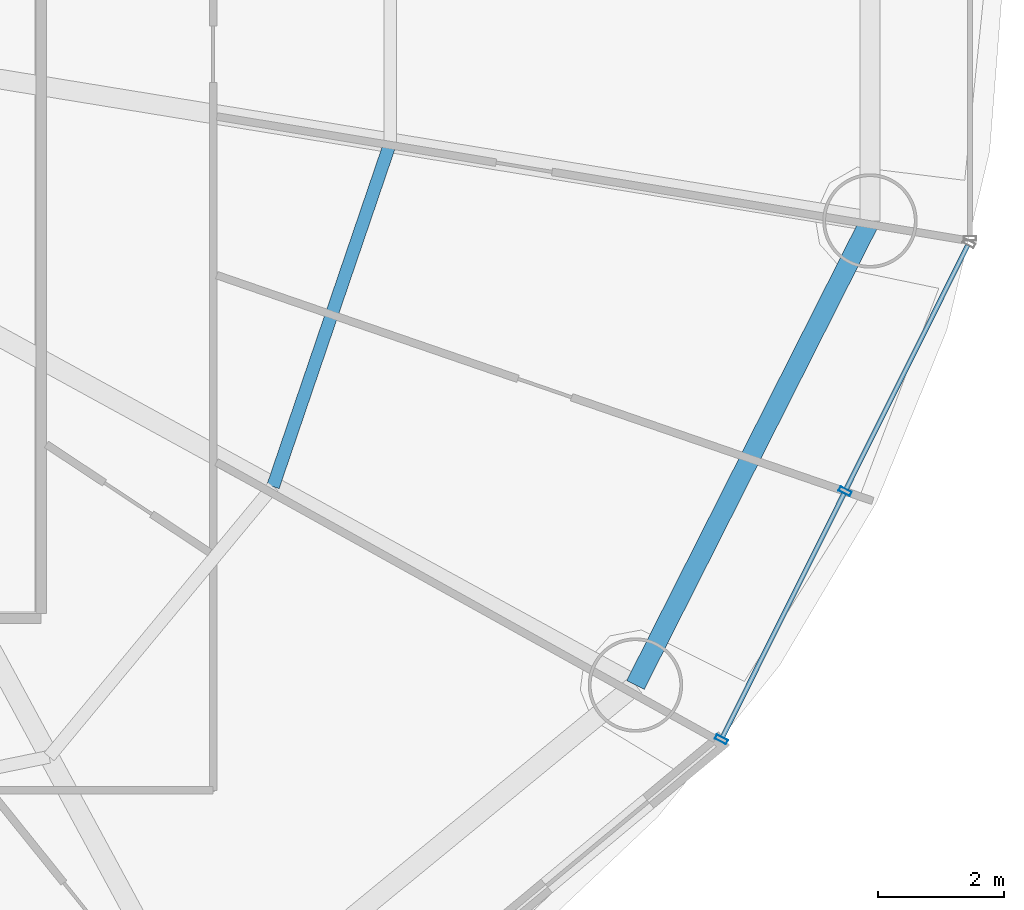
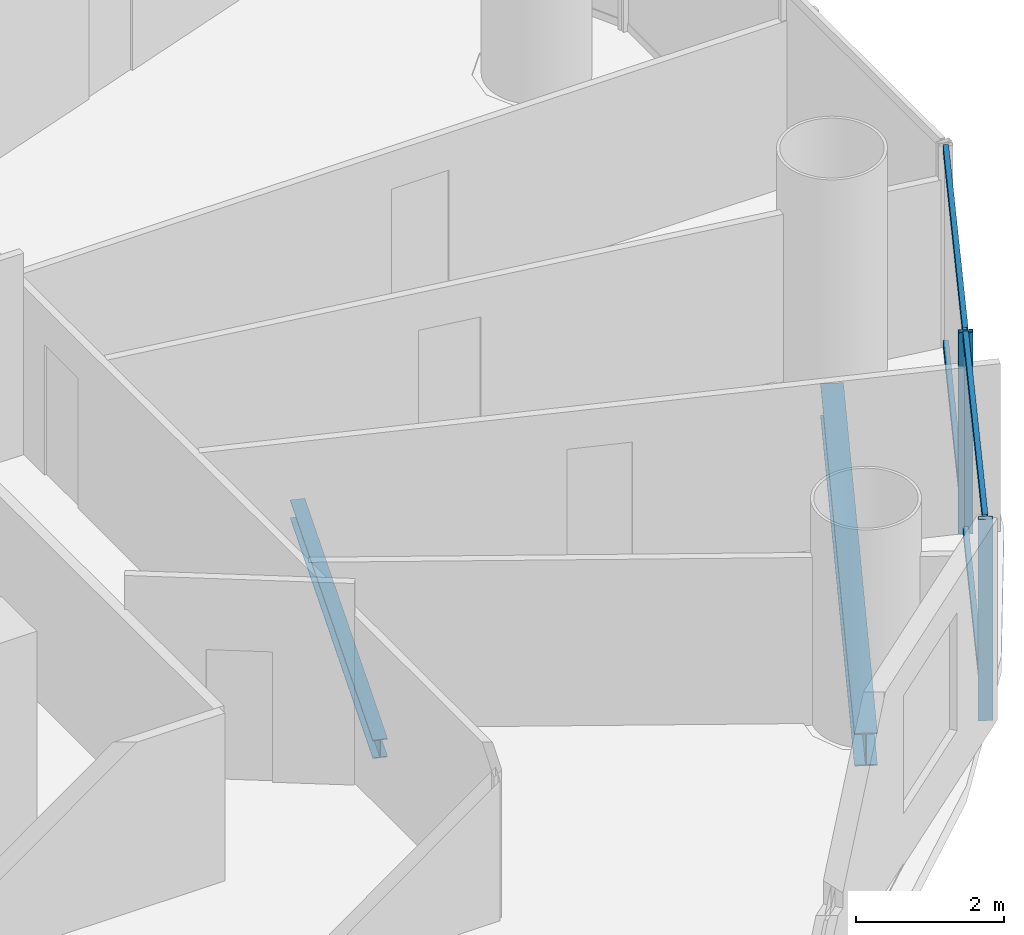
# One storey, part 13 of 29: 6 members, 2 beams, 1 element without a shape of its own.
"""IFC4 building model written with IfcOpenShell, lengths in metres."""

from ifc_helpers import new_model, si_unit, direction, frame, origin, origin_2d, place, context, subcontext, project, spatial, hollow_rectangle, i_section, extrude, source, transform, mapped, material, material_profile, profile_set, type_object, element, aggregate, save


model = new_model("IFC4")

# Units and contexts
model_context = context("Model", 3, precision=1e-05, world=origin(), true_north=direction((-0.2419218956, 0.970295726276)))
body_context = subcontext(model_context, "Body", "Model", "MODEL_VIEW")
ifc_project = project(units=[si_unit("LENGTHUNIT", "METRE"), si_unit("AREAUNIT", "SQUARE_METRE"), si_unit("VOLUMEUNIT", "CUBIC_METRE"), si_unit("PLANEANGLEUNIT", "RADIAN"), si_unit("MASSUNIT", "GRAM", prefix="KILO")], contexts=[model_context])

# Site, building, storey
site_placement = place(None, origin())
site = spatial("IfcSite", under=ifc_project, at=site_placement, CompositionType="ELEMENT")
building_placement = place(site_placement, origin())
building = spatial("IfcBuilding", under=site, at=building_placement, Name="Cobrevalo Terracotta Tower", CompositionType="ELEMENT")
storey_placement = place(building_placement, frame((0.0, 0.0, 119.39990234375)))
storey = spatial("IfcBuildingStorey", under=building, at=storey_placement, Name="L31", CompositionType="ELEMENT", Elevation=119.39990234375)

# Beams
ifc_material_1 = material(Name="Steel S355", Category="steel")
ifc_material_profile_1 = material_profile(ifc_material_1, i_section(OverallWidth=0.2041015625, OverallDepth=0.305908203125, WebThickness=0.008544921875, FlangeThickness=0.0146484375, at=origin_2d()), Name="W 310x67")
ifc_profile_set_1 = profile_set([ifc_material_profile_1], Name="Steel S355")
beam_type_1 = type_object("IfcBeamType", Name="Structural Joist W 310x67 (Steel S355)", PredefinedType="JOIST", material=ifc_profile_set_1)
beam_1_placement = place(storey_placement, frame((52.987548828125, 18.591796875, -0.427978515625), z_axis=(0.322846227919, 0.946451431991, 0.0), x_axis=(-0.946451431991, 0.322846227919, 0.0)))
element("IfcBeam", 1, at=beam_1_placement, inside=storey, type_object=beam_type_1, Name="L31 circumferential secondary floor joist 15", PredefinedType="JOIST", context=body_context, shape_type="SweptSolid", body=[
    extrude(i_section(OverallWidth=0.2041015625, OverallDepth=0.305908203125, WebThickness=0.008544921875, FlangeThickness=0.0146484375, at=origin_2d()), origin(), (0.0, 0.0, 1.0), 5.77001953125),
])
ifc_material_profile_2 = material_profile(ifc_material_1, i_section(OverallWidth=0.31201171875, OverallDepth=0.54296875, WebThickness=0.0126953125, FlangeThickness=0.020263671875, at=origin_2d()), Name="W 530x150")
ifc_profile_set_2 = profile_set([ifc_material_profile_2], Name="Steel S355")
beam_type_2 = type_object("IfcBeamType", Name="Structural Spandrel W 530x150 (Steel S355)", PredefinedType="SPANDREL", material=ifc_profile_set_2)
beam_2_placement = place(storey_placement, frame((58.7451171875, 15.4384765625, -0.54638671875), z_axis=(0.451051982172, 0.892497680321, 0.0), x_axis=(-0.892497680321, 0.451051982172, 0.0)))
element("IfcBeam", 2, at=beam_2_placement, inside=storey, type_object=beam_type_2, Name="L31 perimeter ring spandrel 15", PredefinedType="SPANDREL", context=body_context, shape_type="SweptSolid", body=[
    extrude(i_section(OverallWidth=0.31201171875, OverallDepth=0.54296875, WebThickness=0.0126953125, FlangeThickness=0.020263671875, at=origin_2d()), origin(), (0.0, 0.0, 1.0), 8.259765625),
])

# Curtain wall, members
ifc_material_2 = material(Name="Anodized aluminium", Category="aluminium")
curtain_wall_type = type_object("IfcCurtainWallType", Name="Lower-tower unitised acoustic low-E curtain wall CW-U1", PredefinedType="NOTDEFINED", material=ifc_material_2)
curtain_wall_placement = place(storey_placement, origin())
curtain_wall = element("IfcCurtainWall", 3, at=curtain_wall_placement, inside=storey, type_object=curtain_wall_type, Name="L31 curtain wall CW-L31-S15", PredefinedType="NOTDEFINED")
ifc_material_profile_3 = material_profile(ifc_material_2, hollow_rectangle(XDim=0.074951171875, YDim=0.14990234375, WallThickness=0.00439453125, at=origin_2d()), Name="CWT 75x150")
ifc_profile_set_3 = profile_set([ifc_material_profile_3], Name="Anodized aluminium")
member_type_1 = type_object("IfcMemberType", Name="Tower unitised aluminium transom 75x150", PredefinedType="USERDEFINED", material=ifc_profile_set_3)
shared_shape_1 = source(origin(), body_context, "Body", "SweptSolid", [
    extrude(hollow_rectangle(XDim=0.074951171875, YDim=0.14990234375, WallThickness=0.00439453125, at=origin_2d()), origin(), (0.0, 0.0, 1.0), 4.324951171875),
])
member_1_placement = place(storey_placement, frame((60.1279296875, 14.610107421875, 0.050048828125), z_axis=(0.446219838389, 0.894923379864, 0.0), x_axis=(-0.894923379864, 0.446219838389, 0.0)))
member_1 = element("IfcMember", 4, at=member_1_placement, type_object=member_type_1, Name="CW-L31-S15 transom B01-T1", ObjectType="TRANSOM", PredefinedType="USERDEFINED", context=body_context, shape_type="MappedRepresentation", body=[
    mapped(shared_shape_1, transform((0.0, 0.0, 0.0), scale=1.0)),
])
member_2_placement = place(storey_placement, frame((60.1279296875, 14.610107421875, 3.275146484375), z_axis=(0.446219838389, 0.894923379864, 0.0), x_axis=(-0.894923379864, 0.446219838389, 0.0)))
member_2 = element("IfcMember", 5, at=member_2_placement, type_object=member_type_1, Name="CW-L31-S15 transom B01-T2", ObjectType="TRANSOM", PredefinedType="USERDEFINED", context=body_context, shape_type="MappedRepresentation", body=[
    mapped(shared_shape_1, transform((0.0, 0.0, 0.0), scale=1.0)),
])
member_3_placement = place(storey_placement, frame((62.09375, 18.55224609375, 0.050048828125), z_axis=(0.446219838389, 0.894923379864, 0.0), x_axis=(-0.894923379864, 0.446219838389, 0.0)))
member_3 = element("IfcMember", 6, at=member_3_placement, type_object=member_type_1, Name="CW-L31-S15 transom B02-T1", ObjectType="TRANSOM", PredefinedType="USERDEFINED", context=body_context, shape_type="MappedRepresentation", body=[
    mapped(shared_shape_1, transform((0.0, 0.0, 0.0), scale=1.0)),
])
member_4_placement = place(storey_placement, frame((62.09375, 18.55224609375, 3.275146484375), z_axis=(0.446219838389, 0.894923379864, 0.0), x_axis=(-0.894923379864, 0.446219838389, 0.0)))
member_4 = element("IfcMember", 7, at=member_4_placement, type_object=member_type_1, Name="CW-L31-S15 transom B02-T2", ObjectType="TRANSOM", PredefinedType="USERDEFINED", context=body_context, shape_type="MappedRepresentation", body=[
    mapped(shared_shape_1, transform((0.0, 0.0, 0.0), scale=1.0)),
])
ifc_material_profile_4 = material_profile(ifc_material_2, hollow_rectangle(XDim=0.074951171875, YDim=0.199951171875, WallThickness=0.0048828125, at=origin_2d()), Name="CWM 75x200")
ifc_profile_set_4 = profile_set([ifc_material_profile_4], Name="Anodized aluminium")
member_type_2 = type_object("IfcMemberType", Name="Lower/mid tower unitised mullion 75x200", PredefinedType="MULLION", material=ifc_profile_set_4)
shared_shape_2 = source(origin(), body_context, "Body", "SweptSolid", [
    extrude(hollow_rectangle(XDim=0.074951171875, YDim=0.199951171875, WallThickness=0.0048828125, at=origin_2d()), origin(), (0.0, 0.0, 1.0), 3.3251953125),
])
member_5_placement = place(storey_placement, frame((60.110107421875, 14.574462890625, 0.0), z_axis=(0.0, 0.0, 1.0), x_axis=(0.446260290227, 0.894903208937, 0.0)))
member_5 = element("IfcMember", 8, at=member_5_placement, type_object=member_type_2, Name="CW-L31-S15 vertical mullion 01", PredefinedType="MULLION", context=body_context, shape_type="MappedRepresentation", body=[
    mapped(shared_shape_2, transform((0.0, 0.0, 0.0), scale=1.0)),
])
member_6_placement = place(storey_placement, frame((62.075927734375, 18.516357421875, 0.0), z_axis=(0.0, 0.0, 1.0), x_axis=(0.446260290227, 0.894903208937, 0.0)))
member_6 = element("IfcMember", 9, at=member_6_placement, type_object=member_type_2, Name="CW-L31-S15 vertical mullion 02", PredefinedType="MULLION", context=body_context, shape_type="MappedRepresentation", body=[
    mapped(shared_shape_2, transform((0.0, 0.0, 0.0), scale=1.0)),
])
aggregate(curtain_wall, [member_5, member_6, member_1, member_2, member_3, member_4])

save(model, "model.ifc")
